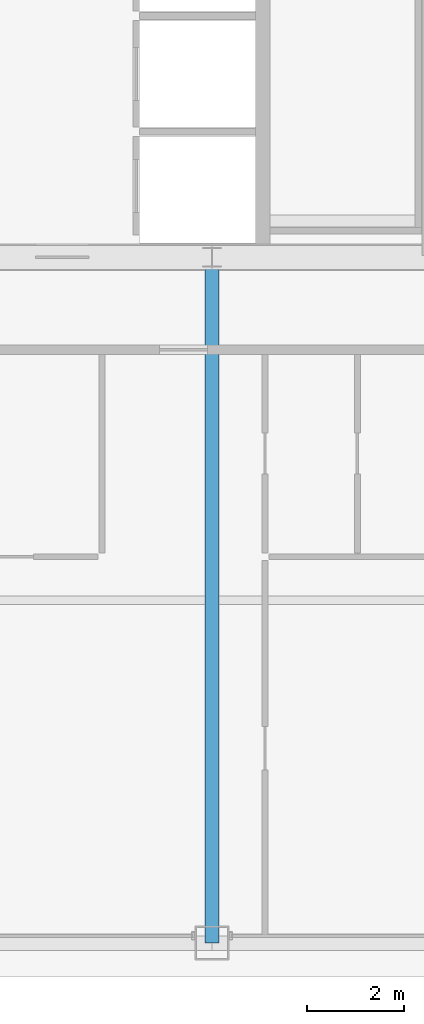
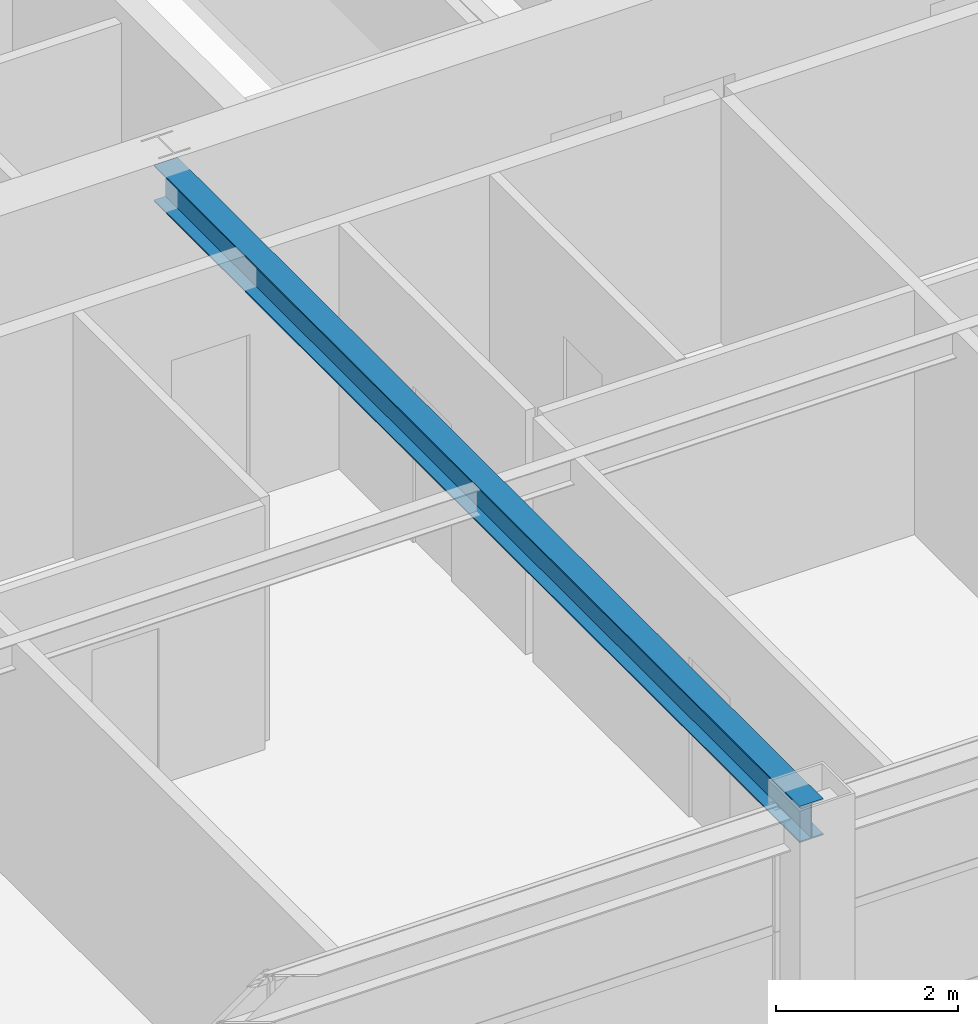
# One storey, part 10 of 37: 1 beam.
"""IFC4 building model written with IfcOpenShell, lengths in metres."""

from ifc_helpers import new_model, si_unit, direction, frame, origin, origin_2d, place, context, subcontext, project, spatial, i_section, extrude, source, transform, mapped, material, material_profile, profile_set, type_object, element, save


model = new_model("IFC4")

# Units and contexts
model_context = context("Model", 3, precision=1e-05, world=origin(), true_north=direction((0.0, 1.0)))
body_context = subcontext(model_context, "Body", "Model", "MODEL_VIEW")
ifc_project = project(units=[si_unit("LENGTHUNIT", "METRE"), si_unit("AREAUNIT", "SQUARE_METRE"), si_unit("VOLUMEUNIT", "CUBIC_METRE"), si_unit("PLANEANGLEUNIT", "RADIAN"), si_unit("MASSUNIT", "GRAM", prefix="KILO"), si_unit("THERMODYNAMICTEMPERATUREUNIT", "KELVIN"), si_unit("POWERUNIT", "WATT")], contexts=[model_context])

# Site, building, storey
site_placement = place(None, origin())
site = spatial("IfcSite", under=ifc_project, at=site_placement, CompositionType="ELEMENT")
building_placement = place(site_placement, origin())
building = spatial("IfcBuilding", under=site, at=building_placement, Name="Yuzanri Waterfront Tower", CompositionType="ELEMENT")
storey_placement = place(building_placement, frame((0.0, 0.0, 245.10009765625)))
storey = spatial("IfcBuildingStorey", under=building, at=storey_placement, Name="L65", CompositionType="ELEMENT", Elevation=245.10009765625)

# Beam
ifc_material = material(Name="Steel Q355B", Category="steel")
ifc_material_profile = material_profile(ifc_material, i_section(OverallWidth=0.300048828125, OverallDepth=0.488037109375, WebThickness=0.010986328125, FlangeThickness=0.01806640625, at=origin_2d()), Name="HM 488x300x11x18")
ifc_profile_set = profile_set([ifc_material_profile], Name="Steel Q355B")
beam_type = type_object("IfcBeamType", Name="Primary Floor Girder Q355B HM 488x300", PredefinedType="BEAM", material=ifc_profile_set)
shared_shape = source(origin(), body_context, "Body", "SweptSolid", [
    extrude(i_section(OverallWidth=0.300048828125, OverallDepth=0.488037109375, WebThickness=0.010986328125, FlangeThickness=0.01806640625, at=origin_2d()), origin(), (0.0, 0.0, 1.0), 14.199951171875),
])
beam_placement = place(storey_placement, frame((37.0, 19.39990234375, 3.035888671875), z_axis=(0.0, -1.0, 0.0), x_axis=(1.0, 0.0, 0.0)))
element("IfcBeam", 1, at=beam_placement, inside=storey, type_object=beam_type, Name="L65 South Grid Girder", PredefinedType="BEAM", context=body_context, shape_type="MappedRepresentation", body=[
    mapped(shared_shape, transform((0.0, 0.0, 0.0), scale=1.0)),
])

save(model, "model.ifc")
